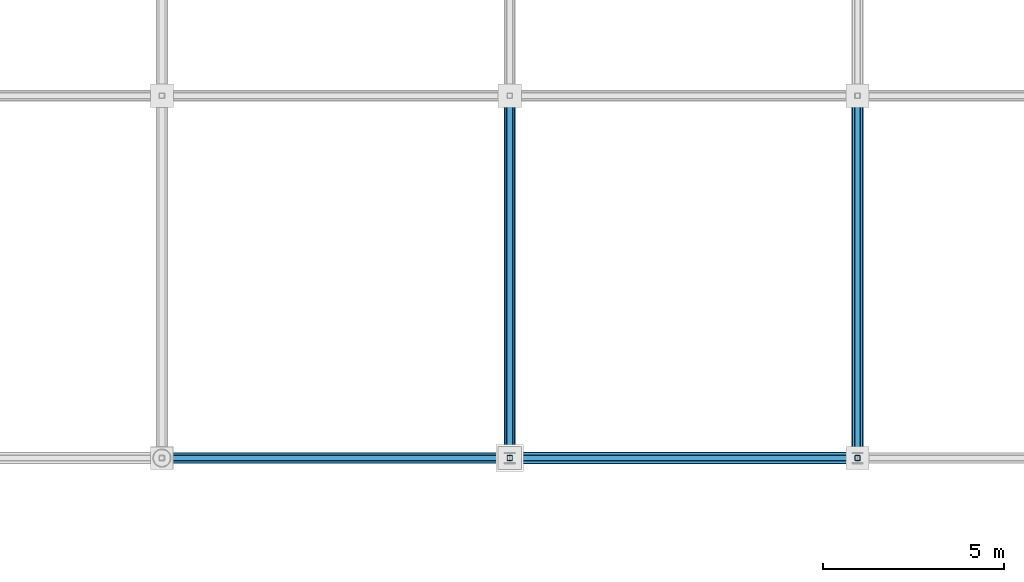
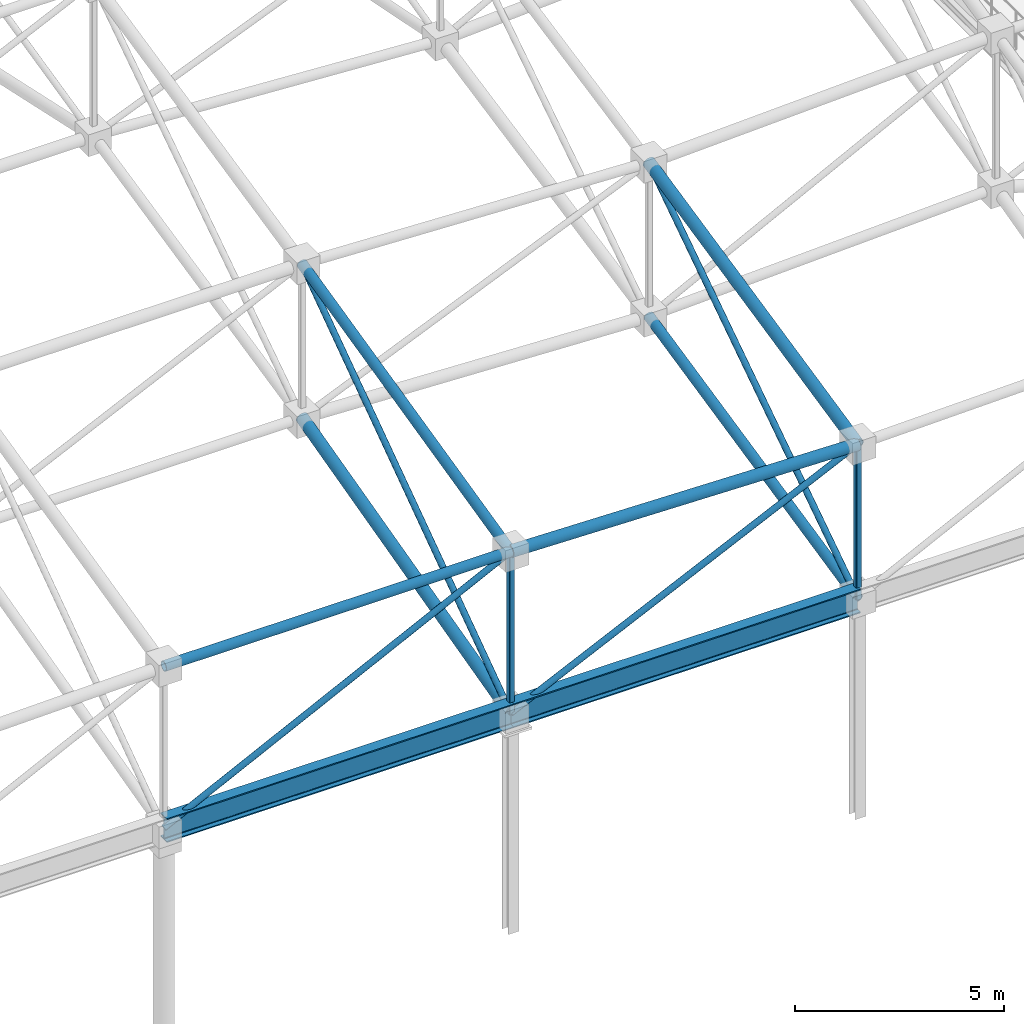
# One storey, part 78 of 193: 12 members, 2 beams.
"""IFC4 building model written with IfcOpenShell, lengths in metres."""

from ifc_helpers import new_model, si_unit, direction, frame, origin, origin_2d, place, context, subcontext, project, spatial, hollow_rectangle, hollow_circle, i_section, extrude, material, material_profile, profile_set, type_object, element, save


model = new_model("IFC4")

# Units and contexts
model_context = context("Model", 3, precision=1e-05, world=origin(), true_north=direction((0.0, 1.0)))
body_context = subcontext(model_context, "Body", "Model", "MODEL_VIEW")
ifc_project = project(units=[si_unit("LENGTHUNIT", "METRE"), si_unit("AREAUNIT", "SQUARE_METRE"), si_unit("VOLUMEUNIT", "CUBIC_METRE"), si_unit("PLANEANGLEUNIT", "RADIAN"), si_unit("MASSUNIT", "GRAM", prefix="KILO")], contexts=[model_context])

# Site, building, storey
site_placement = place(None, origin())
site = spatial("IfcSite", under=ifc_project, at=site_placement, CompositionType="ELEMENT")
building_placement = place(site_placement, origin())
building = spatial("IfcBuilding", under=site, at=building_placement, Name="Danafjord Basin Convention Centre", CompositionType="ELEMENT")
storey_placement = place(building_placement, frame((0.0, 0.0, 11.39990234375)))
storey = spatial("IfcBuildingStorey", under=building, at=storey_placement, Name="L02", CompositionType="ELEMENT", Elevation=11.39990234375)

# Beams
ifc_material = material(Name="Steel S355", Category="steel")
ifc_material_profile_1 = material_profile(ifc_material, i_section(OverallWidth=0.300048828125, OverallDepth=0.699951171875, WebThickness=0.01708984375, FlangeThickness=0.031982421875, FilletRadius=0.027099609375, at=origin_2d()), Name="HEB 700")
ifc_profile_set_1 = profile_set([ifc_material_profile_1], Name="Steel S355")
beam_type = type_object("IfcBeamType", Name="BEAM-BM-HEB700", PredefinedType="BEAM", material=ifc_profile_set_1)
beam_1_placement = place(storey_placement, frame((153.60009765625, 40.0, 6.35009765625), z_axis=(1.0, 0.0, 0.0), x_axis=(0.0, 1.0, 0.0)))
element("IfcBeam", 1, at=beam_1_placement, inside=storey, type_object=beam_type, Name="V3 space-frame perimeter ring girder", PredefinedType="BEAM", context=body_context, shape_type="SweptSolid", body=[
    extrude(i_section(OverallWidth=0.300048828125, OverallDepth=0.699951171875, WebThickness=0.01708984375, FlangeThickness=0.031982421875, FilletRadius=0.027099609375, at=origin_2d()), origin(), (0.0, 0.0, 1.0), 9.599853515625),
])
beam_2_placement = place(storey_placement, frame((163.199951171875, 40.0, 6.35009765625), z_axis=(1.0, 0.0, 0.0), x_axis=(0.0, 1.0, 0.0)))
element("IfcBeam", 2, at=beam_2_placement, inside=storey, type_object=beam_type, Name="V3 space-frame perimeter ring girder", PredefinedType="BEAM", context=body_context, shape_type="SweptSolid", body=[
    extrude(i_section(OverallWidth=0.300048828125, OverallDepth=0.699951171875, WebThickness=0.01708984375, FlangeThickness=0.031982421875, FilletRadius=0.027099609375, at=origin_2d()), origin(), (0.0, 0.0, 1.0), 9.60009765625),
])

# Members
ifc_material_profile_2 = material_profile(ifc_material, hollow_circle(Radius=0.136474609375, WallThickness=0.012451171875, at=origin_2d()), Name="CHS 273.0x12.5")
ifc_profile_set_2 = profile_set([ifc_material_profile_2], Name="Steel S355")
member_type_1 = type_object("IfcMemberType", Name="MEM-CH-CHS273", PredefinedType="CHORD", material=ifc_profile_set_2)
member_1_placement = place(storey_placement, frame((153.60009765625, 40.0, 11.0751953125), z_axis=(1.0, 0.0, 0.0), x_axis=(0.0, 1.0, 0.0)))
element("IfcMember", 3, at=member_1_placement, inside=storey, type_object=member_type_1, Name="V3 roof truss longitudinal top chord", PredefinedType="CHORD", context=body_context, shape_type="SweptSolid", body=[
    extrude(hollow_circle(Radius=0.136474609375, WallThickness=0.012451171875, at=origin_2d()), origin(), (0.0, 0.0, 1.0), 9.599853515625),
])
member_2_placement = place(storey_placement, frame((163.199951171875, 40.0, 11.0751953125), z_axis=(0.0, 0.97342589455, 0.229002244138), x_axis=(-1.0, 0.0, 0.0)))
element("IfcMember", 4, at=member_2_placement, inside=storey, type_object=member_type_1, Name="V3 roof truss transverse top chord", PredefinedType="CHORD", context=body_context, shape_type="SweptSolid", body=[
    extrude(hollow_circle(Radius=0.136474609375, WallThickness=0.012451171875, at=origin_2d()), origin(), (0.0, 0.0, 1.0), 10.27294921875),
])
member_3_placement = place(storey_placement, frame((172.800048828125, 40.0, 6.35009765625), z_axis=(0.0, 0.976969675801, 0.213378191399), x_axis=(-1.0, 0.0, 0.0)))
element("IfcMember", 5, at=member_3_placement, inside=storey, type_object=member_type_1, Name="V3 roof truss transverse bottom chord", PredefinedType="CHORD", context=body_context, shape_type="SweptSolid", body=[
    extrude(hollow_circle(Radius=0.136474609375, WallThickness=0.012451171875, at=origin_2d()), origin(), (0.0, 0.0, 1.0), 10.23583984375),
])
ifc_material_profile_3 = material_profile(ifc_material, hollow_circle(Radius=0.161865234375, WallThickness=0.01611328125, at=origin_2d()), Name="CHS 323.9x16.0")
ifc_profile_set_3 = profile_set([ifc_material_profile_3], Name="Steel S355")
member_type_2 = type_object("IfcMemberType", Name="MEM-CH-CHS324", PredefinedType="CHORD", material=ifc_profile_set_3)
member_4_placement = place(storey_placement, frame((163.199951171875, 40.0, 11.0751953125), z_axis=(0.999725222215, 0.0, -0.023440991172), x_axis=(0.0, 1.0, 0.0)))
element("IfcMember", 6, at=member_4_placement, inside=storey, type_object=member_type_2, Name="V3 roof truss longitudinal top chord", PredefinedType="CHORD", context=body_context, shape_type="SweptSolid", body=[
    extrude(hollow_circle(Radius=0.161865234375, WallThickness=0.01611328125, at=origin_2d()), origin(), (0.0, 0.0, 1.0), 9.602783203125),
])
member_5_placement = place(storey_placement, frame((163.199951171875, 40.0, 6.35009765625), z_axis=(0.0, 0.968347770867, 0.249604877071), x_axis=(-1.0, 0.0, 0.0)))
element("IfcMember", 7, at=member_5_placement, inside=storey, type_object=member_type_2, Name="V3 roof truss transverse bottom chord", PredefinedType="CHORD", context=body_context, shape_type="SweptSolid", body=[
    extrude(hollow_circle(Radius=0.161865234375, WallThickness=0.01611328125, at=origin_2d()), origin(), (0.0, 0.0, 1.0), 10.326904296875),
])
member_6_placement = place(storey_placement, frame((172.800048828125, 40.0, 10.85009765625), z_axis=(0.0, 0.976969675801, 0.213378191399), x_axis=(-1.0, 0.0, 0.0)))
element("IfcMember", 8, at=member_6_placement, inside=storey, type_object=member_type_2, Name="V3 roof truss transverse top chord", PredefinedType="CHORD", context=body_context, shape_type="SweptSolid", body=[
    extrude(hollow_circle(Radius=0.161865234375, WallThickness=0.01611328125, at=origin_2d()), origin(), (0.0, 0.0, 1.0), 10.23583984375),
])
ifc_material_profile_4 = material_profile(ifc_material, hollow_rectangle(XDim=0.14990234375, YDim=0.14990234375, WallThickness=0.008056640625, InnerFilletRadius=0.011962890625, OuterFilletRadius=0.02001953125, at=origin_2d()), Name="SHS 150x150x8.0")
ifc_profile_set_4 = profile_set([ifc_material_profile_4], Name="Steel S355")
member_type_3 = type_object("IfcMemberType", Name="MEM-ST-SHS150", PredefinedType="STRUT", material=ifc_profile_set_4)
member_7_placement = place(storey_placement, frame((163.199951171875, 40.0, 6.35009765625), z_axis=(0.0, 0.0, 1.0), x_axis=(1.0, 0.0, 0.0)))
element("IfcMember", 9, at=member_7_placement, inside=storey, type_object=member_type_3, Name="V3 roof truss vertical strut", PredefinedType="STRUT", context=body_context, shape_type="SweptSolid", body=[
    extrude(hollow_rectangle(XDim=0.14990234375, YDim=0.14990234375, WallThickness=0.008056640625, InnerFilletRadius=0.011962890625, OuterFilletRadius=0.02001953125, at=origin_2d()), origin(), (0.0, 0.0, 1.0), 4.72509765625),
])
member_8_placement = place(storey_placement, frame((172.800048828125, 40.0, 6.35009765625), z_axis=(0.0, 0.0, 1.0), x_axis=(1.0, 0.0, 0.0)))
element("IfcMember", 10, at=member_8_placement, inside=storey, type_object=member_type_3, Name="V3 roof truss vertical strut", PredefinedType="STRUT", context=body_context, shape_type="SweptSolid", body=[
    extrude(hollow_rectangle(XDim=0.14990234375, YDim=0.14990234375, WallThickness=0.008056640625, InnerFilletRadius=0.011962890625, OuterFilletRadius=0.02001953125, at=origin_2d()), origin(), (0.0, 0.0, 1.0), 4.5),
])
ifc_material_profile_5 = material_profile(ifc_material, hollow_circle(Radius=0.084228515625, WallThickness=0.008056640625, at=origin_2d()), Name="CHS 168.3x8.0")
ifc_profile_set_5 = profile_set([ifc_material_profile_5], Name="Steel S355")
member_type_4 = type_object("IfcMemberType", Name="MEM-WB-CHS168", PredefinedType="MEMBER", material=ifc_profile_set_5)
member_9_placement = place(storey_placement, frame((153.60009765625, 40.0, 6.35009765625), z_axis=(0.897207118397, 0.0, 0.441609993883), x_axis=(0.0, 1.0, 0.0)))
element("IfcMember", 11, at=member_9_placement, inside=storey, type_object=member_type_4, Name="V3 space-frame longitudinal web", PredefinedType="MEMBER", context=body_context, shape_type="SweptSolid", body=[
    extrude(hollow_circle(Radius=0.084228515625, WallThickness=0.008056640625, at=origin_2d()), origin(), (0.0, 0.0, 1.0), 10.69970703125),
])
member_10_placement = place(storey_placement, frame((163.199951171875, 40.0, 6.35009765625), z_axis=(0.90546059521, 0.0, 0.424430336476), x_axis=(0.0, 1.0, 0.0)))
element("IfcMember", 12, at=member_10_placement, inside=storey, type_object=member_type_4, Name="V3 space-frame longitudinal web", PredefinedType="MEMBER", context=body_context, shape_type="SweptSolid", body=[
    extrude(hollow_circle(Radius=0.084228515625, WallThickness=0.008056640625, at=origin_2d()), origin(), (0.0, 0.0, 1.0), 10.6025390625),
])
member_11_placement = place(storey_placement, frame((163.199951171875, 40.0, 6.35009765625), z_axis=(0.0, 0.816243743632, 0.577707669138), x_axis=(-1.0, 0.0, 0.0)))
element("IfcMember", 13, at=member_11_placement, inside=storey, type_object=member_type_4, Name="V3 space-frame transverse web", PredefinedType="MEMBER", context=body_context, shape_type="SweptSolid", body=[
    extrude(hollow_circle(Radius=0.084228515625, WallThickness=0.008056640625, at=origin_2d()), origin(), (0.0, 0.0, 1.0), 12.251220703125),
])
member_12_placement = place(storey_placement, frame((172.800048828125, 40.0, 6.35009765625), z_axis=(0.0, 0.831381437741, 0.555702172912), x_axis=(-1.0, 0.0, 0.0)))
element("IfcMember", 14, at=member_12_placement, inside=storey, type_object=member_type_4, Name="V3 space-frame transverse web", PredefinedType="MEMBER", context=body_context, shape_type="SweptSolid", body=[
    extrude(hollow_circle(Radius=0.084228515625, WallThickness=0.008056640625, at=origin_2d()), origin(), (0.0, 0.0, 1.0), 12.028076171875),
])

save(model, "model.ifc")
